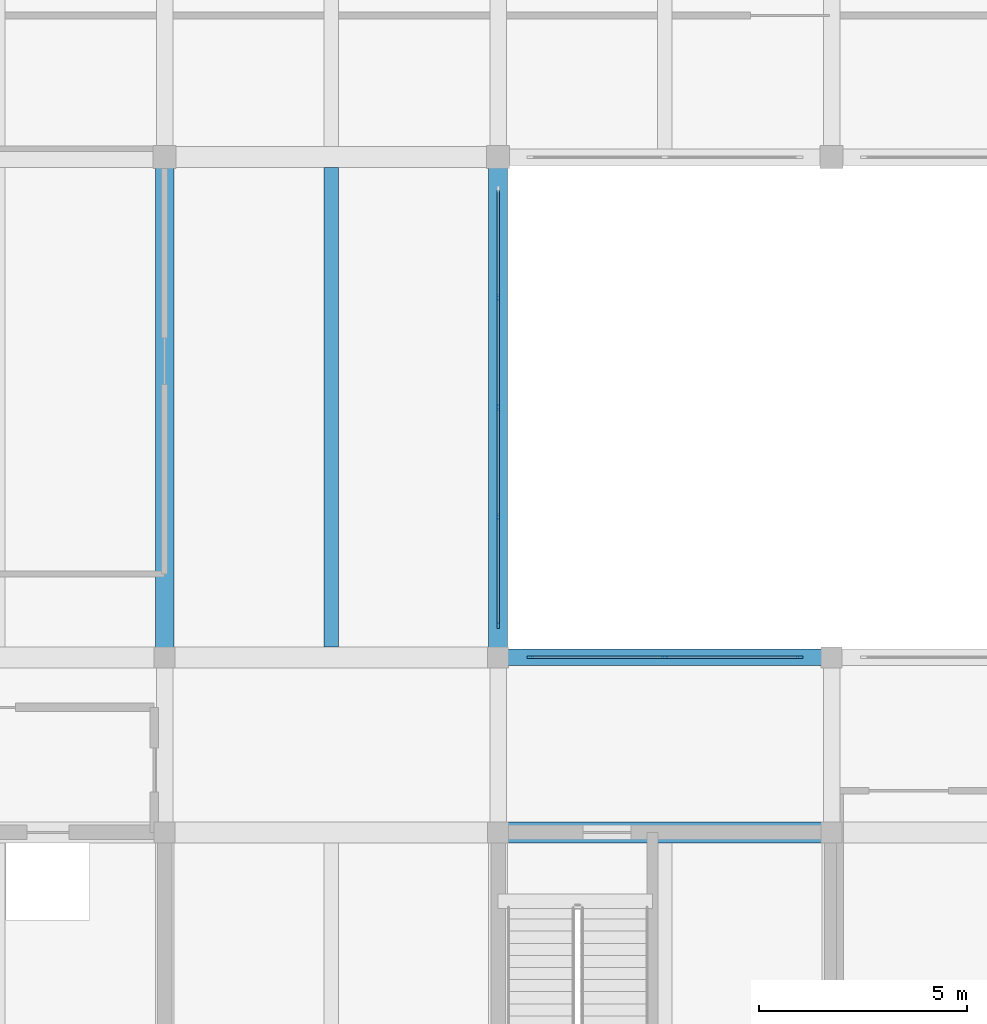
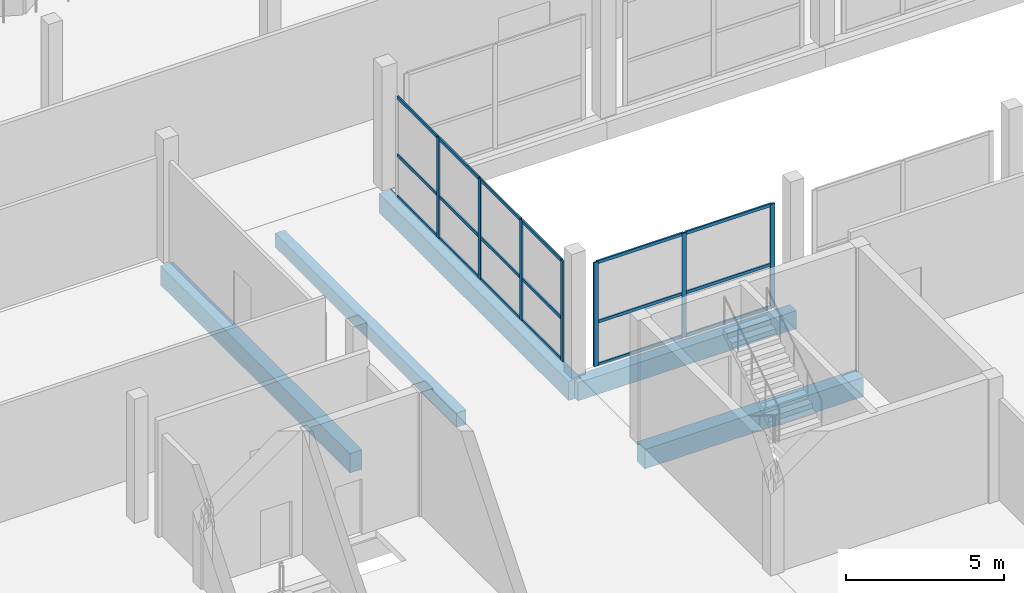
# One storey, part 14 of 47: 25 members, 5 beams, 2 elements without a shape of their own.
"""IFC4 building model written with IfcOpenShell, lengths in metres."""

from ifc_helpers import new_model, si_unit, direction, frame, origin, origin_2d, place, context, subcontext, project, spatial, rectangle, extrude, material, material_profile, profile_set, type_object, element, aggregate, save


model = new_model("IFC4")

# Units and contexts
model_context = context("Model", 3, precision=1e-05, world=origin(), true_north=direction((0.0, 1.0)))
body_context = subcontext(model_context, "Body", "Model", "MODEL_VIEW")
ifc_project = project(units=[si_unit("LENGTHUNIT", "METRE"), si_unit("AREAUNIT", "SQUARE_METRE"), si_unit("VOLUMEUNIT", "CUBIC_METRE"), si_unit("PLANEANGLEUNIT", "RADIAN"), si_unit("MASSUNIT", "GRAM", prefix="KILO")], contexts=[model_context])

# Site, building, storey
site_placement = place(None, origin())
site = spatial("IfcSite", under=ifc_project, at=site_placement, CompositionType="ELEMENT")
building_placement = place(site_placement, origin())
building = spatial("IfcBuilding", under=site, at=building_placement, Name="Vharandega Faculty of Natural Sciences", CompositionType="ELEMENT")
storey_placement = place(building_placement, frame((0.0, 0.0, 5.39990234375)))
storey = spatial("IfcBuildingStorey", under=building, at=storey_placement, Name="L01", CompositionType="ELEMENT", Elevation=5.39990234375)

# Curtain wall, members
ifc_material_1 = material(Name="Aluminium and solar-control glass curtain wall", Category="aluminium")
curtain_wall_type_1 = type_object("IfcCurtainWallType", Name="Unitised Curtain Wall System CW-24", PredefinedType="NOTDEFINED", material=ifc_material_1)
curtain_wall_1_placement = place(storey_placement, origin())
curtain_wall_1 = element("IfcCurtainWall", 1, at=curtain_wall_1_placement, inside=storey, type_object=curtain_wall_type_1, Name="Curtain Wall CW-L01-051", PredefinedType="NOTDEFINED")
ifc_material_2 = material(Name="Thermally broken aluminium 6063-T6", Category="aluminium")
ifc_material_profile_1 = material_profile(ifc_material_2, rectangle(XDim=0.06005859375, YDim=0.159912109375, at=origin_2d()), Name="ALU 60x160")
ifc_profile_set_1 = profile_set([ifc_material_profile_1], Name="Thermally broken aluminium 6063-T6")
member_type_1 = type_object("IfcMemberType", Name="CW Mullion 60x160", PredefinedType="MULLION", material=ifc_profile_set_1)
member_1_placement = place(storey_placement, frame((24.0, 85.77001953125, 0.0), z_axis=(0.0, 0.0, 1.0), x_axis=(-1.0, 0.0, 0.0)))
member_1 = element("IfcMember", 2, at=member_1_placement, type_object=member_type_1, Name="CW-24 mullion 1", PredefinedType="MULLION", context=body_context, shape_type="SweptSolid", body=[
    extrude(rectangle(XDim=0.06005859375, YDim=0.159912109375, at=origin_2d()), origin(), (0.0, 0.0, 1.0), 3.89013671875),
])
member_2_placement = place(storey_placement, frame((24.0, 88.3701171875, 0.0), z_axis=(0.0, 0.0, 1.0), x_axis=(-1.0, 0.0, 0.0)))
member_2 = element("IfcMember", 3, at=member_2_placement, type_object=member_type_1, Name="CW-24 mullion 2", PredefinedType="MULLION", context=body_context, shape_type="SweptSolid", body=[
    extrude(rectangle(XDim=0.06005859375, YDim=0.159912109375, at=origin_2d()), origin(), (0.0, 0.0, 1.0), 3.89013671875),
])
member_3_placement = place(storey_placement, frame((24.0, 91.0, 0.0), z_axis=(0.0, 0.0, 1.0), x_axis=(-1.0, 0.0, 0.0)))
member_3 = element("IfcMember", 4, at=member_3_placement, type_object=member_type_1, Name="CW-24 mullion 3", PredefinedType="MULLION", context=body_context, shape_type="SweptSolid", body=[
    extrude(rectangle(XDim=0.06005859375, YDim=0.159912109375, at=origin_2d()), origin(), (0.0, 0.0, 1.0), 3.89013671875),
])
member_4_placement = place(storey_placement, frame((24.0, 93.6298828125, 0.0), z_axis=(0.0, 0.0, 1.0), x_axis=(-1.0, 0.0, 0.0)))
member_4 = element("IfcMember", 5, at=member_4_placement, type_object=member_type_1, Name="CW-24 mullion 4", PredefinedType="MULLION", context=body_context, shape_type="SweptSolid", body=[
    extrude(rectangle(XDim=0.06005859375, YDim=0.159912109375, at=origin_2d()), origin(), (0.0, 0.0, 1.0), 3.89013671875),
])

ifc_material_3 = material(Name="Aluminium and solar-control glass curtain wall", Category="aluminium")
curtain_wall_type_2 = type_object("IfcCurtainWallType", Name="Unitised Curtain Wall System CW-23", PredefinedType="NOTDEFINED", material=ifc_material_3)
curtain_wall_2_placement = place(storey_placement, origin())
curtain_wall_2 = element("IfcCurtainWall", 6, at=curtain_wall_2_placement, inside=storey, type_object=curtain_wall_type_2, Name="Curtain Wall CW-L01-078", PredefinedType="NOTDEFINED")
member_5_placement = place(storey_placement, frame((24.77001953125, 85.0, 0.0), z_axis=(0.0, 0.0, 1.0), x_axis=(0.0, 1.0, 0.0)))
member_5 = element("IfcMember", 7, at=member_5_placement, type_object=member_type_1, Name="CW-23 mullion 1", PredefinedType="MULLION", context=body_context, shape_type="SweptSolid", body=[
    extrude(rectangle(XDim=0.06005859375, YDim=0.159912109375, at=origin_2d()), origin(), (0.0, 0.0, 1.0), 4.02001953125),
])
member_6_placement = place(storey_placement, frame((28.0, 85.0, 0.0), z_axis=(0.0, 0.0, 1.0), x_axis=(0.0, 1.0, 0.0)))
member_6 = element("IfcMember", 8, at=member_6_placement, type_object=member_type_1, Name="CW-23 mullion 2", PredefinedType="MULLION", context=body_context, shape_type="SweptSolid", body=[
    extrude(rectangle(XDim=0.06005859375, YDim=0.159912109375, at=origin_2d()), origin(), (0.0, 0.0, 1.0), 4.02001953125),
])
member_7_placement = place(storey_placement, frame((31.22998046875, 85.0, 0.0), z_axis=(0.0, 0.0, 1.0), x_axis=(0.0, 1.0, 0.0)))
member_7 = element("IfcMember", 9, at=member_7_placement, type_object=member_type_1, Name="CW-23 mullion 3", PredefinedType="MULLION", context=body_context, shape_type="SweptSolid", body=[
    extrude(rectangle(XDim=0.06005859375, YDim=0.159912109375, at=origin_2d()), origin(), (0.0, 0.0, 1.0), 4.02001953125),
])

# Member
ifc_material_4 = material(Name="Thermally broken aluminium 6063-T6", Category="aluminium")
ifc_material_profile_2 = material_profile(ifc_material_4, rectangle(XDim=0.06005859375, YDim=0.1201171875, at=origin_2d()), Name="ALU 60x120")
ifc_profile_set_2 = profile_set([ifc_material_profile_2], Name="Thermally broken aluminium 6063-T6")
member_type_2 = type_object("IfcMemberType", Name="CW Transom 60x120", PredefinedType="USERDEFINED", material=ifc_profile_set_2)
member_8_placement = place(storey_placement, frame((24.0, 85.800048828125, 0.030029296875), z_axis=(0.0, 1.0, 0.0), x_axis=(-1.0, 0.0, 0.0)))
member_8 = element("IfcMember", 10, at=member_8_placement, type_object=member_type_2, Name="CW-24 transom 1.1", ObjectType="TRANSOM", PredefinedType="USERDEFINED", context=body_context, shape_type="SweptSolid", body=[
    extrude(rectangle(XDim=0.06005859375, YDim=0.1201171875, at=origin_2d()), origin(), (0.0, 0.0, 1.0), 2.5400390625),
])

member_9_placement = place(storey_placement, frame((24.0, 85.800048828125, 1.6337890625), z_axis=(0.0, 1.0, 0.0), x_axis=(-1.0, 0.0, 0.0)))
member_9 = element("IfcMember", 11, at=member_9_placement, type_object=member_type_2, Name="CW-24 transom 1.2", ObjectType="TRANSOM", PredefinedType="USERDEFINED", context=body_context, shape_type="SweptSolid", body=[
    extrude(rectangle(XDim=0.06005859375, YDim=0.1201171875, at=origin_2d()), origin(), (0.0, 0.0, 1.0), 2.5400390625),
])

member_10_placement = place(storey_placement, frame((24.0, 85.800048828125, 3.860107421875), z_axis=(0.0, 1.0, 0.0), x_axis=(-1.0, 0.0, 0.0)))
member_10 = element("IfcMember", 12, at=member_10_placement, type_object=member_type_2, Name="CW-24 transom 1.3", ObjectType="TRANSOM", PredefinedType="USERDEFINED", context=body_context, shape_type="SweptSolid", body=[
    extrude(rectangle(XDim=0.06005859375, YDim=0.1201171875, at=origin_2d()), origin(), (0.0, 0.0, 1.0), 2.5400390625),
])

member_11_placement = place(storey_placement, frame((24.0, 88.39990234375, 0.030029296875), z_axis=(0.0, 1.0, 0.0), x_axis=(-1.0, 0.0, 0.0)))
member_11 = element("IfcMember", 13, at=member_11_placement, type_object=member_type_2, Name="CW-24 transom 2.1", ObjectType="TRANSOM", PredefinedType="USERDEFINED", context=body_context, shape_type="SweptSolid", body=[
    extrude(rectangle(XDim=0.06005859375, YDim=0.1201171875, at=origin_2d()), origin(), (0.0, 0.0, 1.0), 2.570068359375),
])

member_12_placement = place(storey_placement, frame((24.0, 88.39990234375, 1.6337890625), z_axis=(0.0, 1.0, 0.0), x_axis=(-1.0, 0.0, 0.0)))
member_12 = element("IfcMember", 14, at=member_12_placement, type_object=member_type_2, Name="CW-24 transom 2.2", ObjectType="TRANSOM", PredefinedType="USERDEFINED", context=body_context, shape_type="SweptSolid", body=[
    extrude(rectangle(XDim=0.06005859375, YDim=0.1201171875, at=origin_2d()), origin(), (0.0, 0.0, 1.0), 2.570068359375),
])

member_13_placement = place(storey_placement, frame((24.0, 88.39990234375, 3.860107421875), z_axis=(0.0, 1.0, 0.0), x_axis=(-1.0, 0.0, 0.0)))
member_13 = element("IfcMember", 15, at=member_13_placement, type_object=member_type_2, Name="CW-24 transom 2.3", ObjectType="TRANSOM", PredefinedType="USERDEFINED", context=body_context, shape_type="SweptSolid", body=[
    extrude(rectangle(XDim=0.06005859375, YDim=0.1201171875, at=origin_2d()), origin(), (0.0, 0.0, 1.0), 2.570068359375),
])

member_14_placement = place(storey_placement, frame((24.0, 91.030029296875, 0.030029296875), z_axis=(0.0, 1.0, 0.0), x_axis=(-1.0, 0.0, 0.0)))
member_14 = element("IfcMember", 16, at=member_14_placement, type_object=member_type_2, Name="CW-24 transom 3.1", ObjectType="TRANSOM", PredefinedType="USERDEFINED", context=body_context, shape_type="SweptSolid", body=[
    extrude(rectangle(XDim=0.06005859375, YDim=0.1201171875, at=origin_2d()), origin(), (0.0, 0.0, 1.0), 2.570068359375),
])

member_15_placement = place(storey_placement, frame((24.0, 91.030029296875, 1.6337890625), z_axis=(0.0, 1.0, 0.0), x_axis=(-1.0, 0.0, 0.0)))
member_15 = element("IfcMember", 17, at=member_15_placement, type_object=member_type_2, Name="CW-24 transom 3.2", ObjectType="TRANSOM", PredefinedType="USERDEFINED", context=body_context, shape_type="SweptSolid", body=[
    extrude(rectangle(XDim=0.06005859375, YDim=0.1201171875, at=origin_2d()), origin(), (0.0, 0.0, 1.0), 2.570068359375),
])

member_16_placement = place(storey_placement, frame((24.0, 91.030029296875, 3.860107421875), z_axis=(0.0, 1.0, 0.0), x_axis=(-1.0, 0.0, 0.0)))
member_16 = element("IfcMember", 18, at=member_16_placement, type_object=member_type_2, Name="CW-24 transom 3.3", ObjectType="TRANSOM", PredefinedType="USERDEFINED", context=body_context, shape_type="SweptSolid", body=[
    extrude(rectangle(XDim=0.06005859375, YDim=0.1201171875, at=origin_2d()), origin(), (0.0, 0.0, 1.0), 2.570068359375),
])

member_17_placement = place(storey_placement, frame((24.0, 93.659912109375, 0.030029296875), z_axis=(0.0, 1.0, 0.0), x_axis=(-1.0, 0.0, 0.0)))
member_17 = element("IfcMember", 19, at=member_17_placement, type_object=member_type_2, Name="CW-24 transom 4.1", ObjectType="TRANSOM", PredefinedType="USERDEFINED", context=body_context, shape_type="SweptSolid", body=[
    extrude(rectangle(XDim=0.06005859375, YDim=0.1201171875, at=origin_2d()), origin(), (0.0, 0.0, 1.0), 2.5400390625),
])

member_18_placement = place(storey_placement, frame((24.0, 93.659912109375, 1.6337890625), z_axis=(0.0, 1.0, 0.0), x_axis=(-1.0, 0.0, 0.0)))
member_18 = element("IfcMember", 20, at=member_18_placement, type_object=member_type_2, Name="CW-24 transom 4.2", ObjectType="TRANSOM", PredefinedType="USERDEFINED", context=body_context, shape_type="SweptSolid", body=[
    extrude(rectangle(XDim=0.06005859375, YDim=0.1201171875, at=origin_2d()), origin(), (0.0, 0.0, 1.0), 2.5400390625),
])

member_19_placement = place(storey_placement, frame((24.0, 93.659912109375, 3.860107421875), z_axis=(0.0, 1.0, 0.0), x_axis=(-1.0, 0.0, 0.0)))
member_19 = element("IfcMember", 21, at=member_19_placement, type_object=member_type_2, Name="CW-24 transom 4.3", ObjectType="TRANSOM", PredefinedType="USERDEFINED", context=body_context, shape_type="SweptSolid", body=[
    extrude(rectangle(XDim=0.06005859375, YDim=0.1201171875, at=origin_2d()), origin(), (0.0, 0.0, 1.0), 2.5400390625),
])

aggregate(curtain_wall_1, [member_1, member_2, member_3, member_4, member_8, member_9, member_10, member_11, member_12, member_13, member_14, member_15, member_16, member_17, member_18, member_19])

member_20_placement = place(storey_placement, frame((24.800048828125, 85.0, 0.030029296875), z_axis=(1.0, 0.0, 0.0), x_axis=(0.0, 1.0, 0.0)))
member_20 = element("IfcMember", 22, at=member_20_placement, type_object=member_type_2, Name="CW-23 transom 1.1", ObjectType="TRANSOM", PredefinedType="USERDEFINED", context=body_context, shape_type="SweptSolid", body=[
    extrude(rectangle(XDim=0.06005859375, YDim=0.1201171875, at=origin_2d()), origin(), (0.0, 0.0, 1.0), 3.169921875),
])

member_21_placement = place(storey_placement, frame((24.800048828125, 85.0, 1.6884765625), z_axis=(1.0, 0.0, 0.0), x_axis=(0.0, 1.0, 0.0)))
member_21 = element("IfcMember", 23, at=member_21_placement, type_object=member_type_2, Name="CW-23 transom 1.2", ObjectType="TRANSOM", PredefinedType="USERDEFINED", context=body_context, shape_type="SweptSolid", body=[
    extrude(rectangle(XDim=0.06005859375, YDim=0.1201171875, at=origin_2d()), origin(), (0.0, 0.0, 1.0), 3.169921875),
])

member_22_placement = place(storey_placement, frame((24.800048828125, 85.0, 3.989990234375), z_axis=(1.0, 0.0, 0.0), x_axis=(0.0, 1.0, 0.0)))
member_22 = element("IfcMember", 24, at=member_22_placement, type_object=member_type_2, Name="CW-23 transom 1.3", ObjectType="TRANSOM", PredefinedType="USERDEFINED", context=body_context, shape_type="SweptSolid", body=[
    extrude(rectangle(XDim=0.06005859375, YDim=0.1201171875, at=origin_2d()), origin(), (0.0, 0.0, 1.0), 3.169921875),
])

member_23_placement = place(storey_placement, frame((28.030029296875, 85.0, 0.030029296875), z_axis=(1.0, 0.0, 0.0), x_axis=(0.0, 1.0, 0.0)))
member_23 = element("IfcMember", 25, at=member_23_placement, type_object=member_type_2, Name="CW-23 transom 2.1", ObjectType="TRANSOM", PredefinedType="USERDEFINED", context=body_context, shape_type="SweptSolid", body=[
    extrude(rectangle(XDim=0.06005859375, YDim=0.1201171875, at=origin_2d()), origin(), (0.0, 0.0, 1.0), 3.169921875),
])

member_24_placement = place(storey_placement, frame((28.030029296875, 85.0, 1.6884765625), z_axis=(1.0, 0.0, 0.0), x_axis=(0.0, 1.0, 0.0)))
member_24 = element("IfcMember", 26, at=member_24_placement, type_object=member_type_2, Name="CW-23 transom 2.2", ObjectType="TRANSOM", PredefinedType="USERDEFINED", context=body_context, shape_type="SweptSolid", body=[
    extrude(rectangle(XDim=0.06005859375, YDim=0.1201171875, at=origin_2d()), origin(), (0.0, 0.0, 1.0), 3.169921875),
])

member_25_placement = place(storey_placement, frame((28.030029296875, 85.0, 3.989990234375), z_axis=(1.0, 0.0, 0.0), x_axis=(0.0, 1.0, 0.0)))
member_25 = element("IfcMember", 27, at=member_25_placement, type_object=member_type_2, Name="CW-23 transom 2.3", ObjectType="TRANSOM", PredefinedType="USERDEFINED", context=body_context, shape_type="SweptSolid", body=[
    extrude(rectangle(XDim=0.06005859375, YDim=0.1201171875, at=origin_2d()), origin(), (0.0, 0.0, 1.0), 3.169921875),
])

aggregate(curtain_wall_2, [member_5, member_6, member_7, member_20, member_21, member_22, member_23, member_24, member_25])

# Beams
ifc_material_5 = material(Name="Concrete C40/50", Category="concrete")
ifc_material_profile_3 = material_profile(ifc_material_5, rectangle(XDim=0.5, YDim=0.75, at=origin_2d()), Name="RC 500x750")
ifc_profile_set_3 = profile_set([ifc_material_profile_3], Name="Concrete C40/50")
beam_type_1 = type_object("IfcBeamType", Name="Podium Primary Beam 500x750", PredefinedType="BEAM", material=ifc_profile_set_3)
beam_1_placement = place(storey_placement, frame((24.0, 80.800048828125, -0.65478515625), z_axis=(1.0, 0.0, 0.0), x_axis=(0.0, 1.0, 0.0)))
element("IfcBeam", 28, at=beam_1_placement, inside=storey, type_object=beam_type_1, Name="Beam L01 L/4-5", PredefinedType="BEAM", context=body_context, shape_type="SweptSolid", body=[
    extrude(rectangle(XDim=0.5, YDim=0.75, at=origin_2d()), origin(), (0.0, 0.0, 1.0), 8.0),
])
ifc_material_6 = material(Name="Concrete C40/50", Category="concrete")
ifc_material_profile_4 = material_profile(ifc_material_6, rectangle(XDim=0.35009765625, YDim=0.550048828125, at=origin_2d()), Name="RC 350x550")
ifc_profile_set_4 = profile_set([ifc_material_profile_4], Name="Concrete C40/50")
beam_type_2 = type_object("IfcBeamType", Name="Podium Secondary Beam 350x550", PredefinedType="JOIST", material=ifc_profile_set_4)
beam_2_placement = place(storey_placement, frame((20.0, 85.25, -0.534912109375), z_axis=(0.0, 1.0, 0.0), x_axis=(-1.0, 0.0, 0.0)))
element("IfcBeam", 29, at=beam_2_placement, inside=storey, type_object=beam_type_2, Name="Secondary Joist L01 3-4/M-N", PredefinedType="JOIST", context=body_context, shape_type="SweptSolid", body=[
    extrude(rectangle(XDim=0.35009765625, YDim=0.550048828125, at=origin_2d()), origin(), (0.0, 0.0, 1.0), 11.5),
])
ifc_material_7 = material(Name="Concrete C40/50", Category="concrete")
ifc_material_profile_5 = material_profile(ifc_material_7, rectangle(XDim=0.39990234375, YDim=0.699951171875, at=origin_2d()), Name="RC 400x700")
ifc_profile_set_5 = profile_set([ifc_material_profile_5], Name="Concrete C40/50")
beam_type_3 = type_object("IfcBeamType", Name="Podium Spandrel Beam 400x700", PredefinedType="SPANDREL", material=ifc_profile_set_5)
beam_3_placement = place(storey_placement, frame((24.0, 85.0, -0.6298828125), z_axis=(1.0, 0.0, 0.0), x_axis=(0.0, 1.0, 0.0)))
element("IfcBeam", 30, at=beam_3_placement, inside=storey, type_object=beam_type_3, Name="Beam L01 M/4-5", PredefinedType="SPANDREL", context=body_context, shape_type="SweptSolid", body=[
    extrude(rectangle(XDim=0.39990234375, YDim=0.699951171875, at=origin_2d()), origin(), (0.0, 0.0, 1.0), 8.0),
])
ifc_material_8 = material(Name="Concrete C40/50", Category="concrete")
ifc_material_profile_6 = material_profile(ifc_material_8, rectangle(XDim=0.449951171875, YDim=0.75, at=origin_2d()), Name="RC 450x750")
ifc_profile_set_6 = profile_set([ifc_material_profile_6], Name="Concrete C40/50")
beam_type_4 = type_object("IfcBeamType", Name="Podium Spine Beam 450x750", PredefinedType="BEAM", material=ifc_profile_set_6)
for number, where, z_axis, x_axis, name in (
    (31, (16.0, 85.0, -0.635009765625), (0.0, 1.0, 0.0), (-1.0, 0.0, 0.0), "Beam L01 3/M-N"),
    (32, (24.0, 85.0, -0.635009765625), (0.0, 1.0, 0.0), (-1.0, 0.0, 0.0), "Beam L01 4/M-N"),
):
    element("IfcBeam", number, at=place(storey_placement, frame(where, z_axis=z_axis, x_axis=x_axis)), inside=storey, type_object=beam_type_4, Name=name, PredefinedType="BEAM", context=body_context, shape_type="SweptSolid", body=[
        extrude(rectangle(XDim=0.449951171875, YDim=0.75, at=origin_2d()), origin(), (0.0, 0.0, 1.0), 12.0),
    ])

save(model, "model.ifc")
